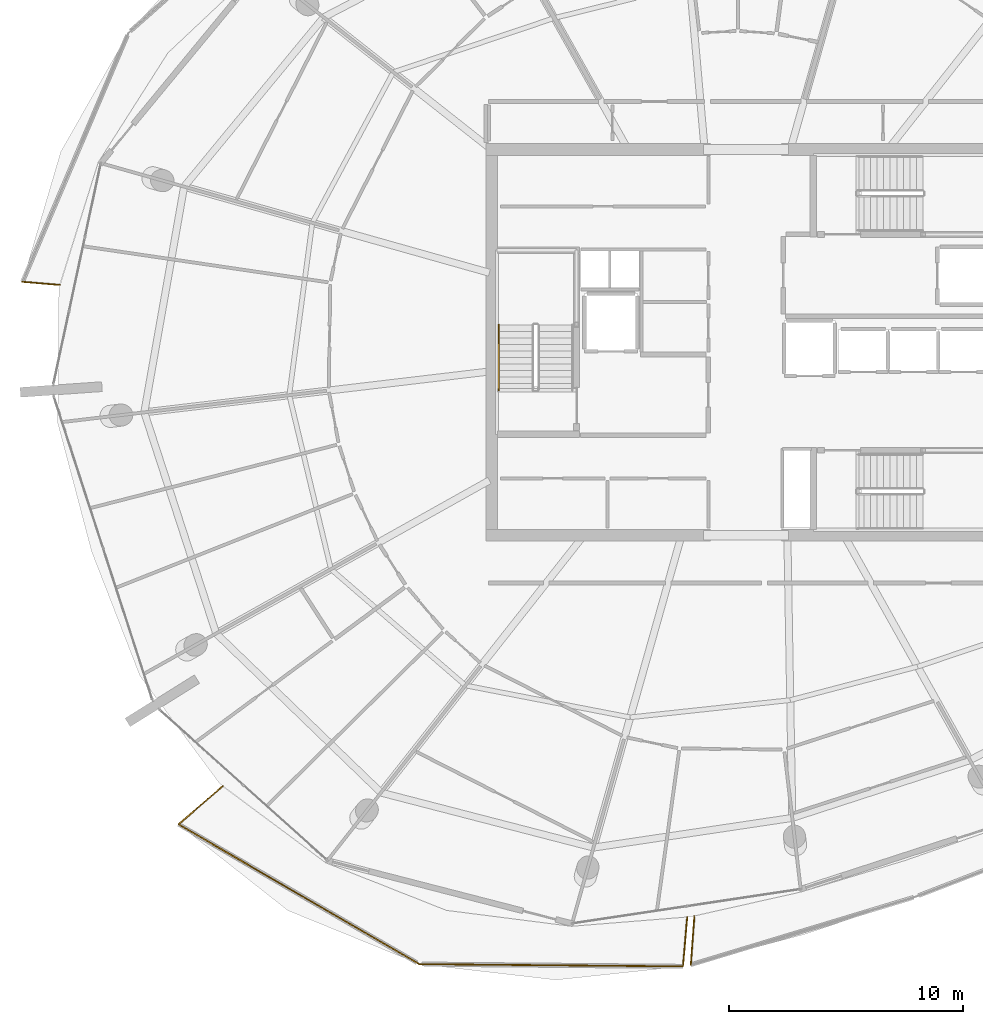
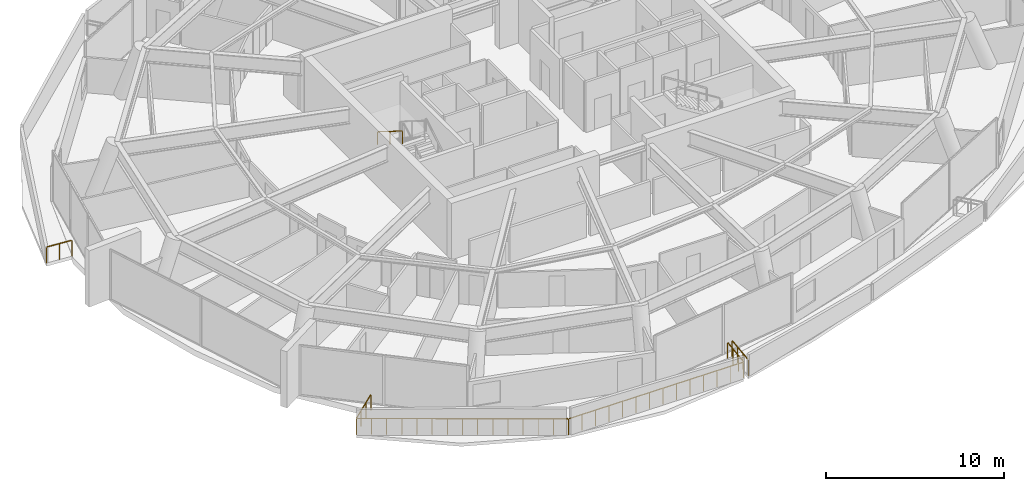
# One storey, part 22 of 27: 7 railings.
"""IFC4 building model written with IfcOpenShell, lengths in metres."""

from ifc_helpers import new_model, si_unit, direction, frame, origin, origin_2d, place, context, subcontext, project, spatial, rectangle, extrude, material, type_object, element, save


model = new_model("IFC4")

# Units and contexts
model_context = context("Model", 3, precision=1e-05, world=origin(), true_north=direction((0.0, 1.0)))
body_context = subcontext(model_context, "Body", "Model", "MODEL_VIEW")
ifc_project = project(units=[si_unit("LENGTHUNIT", "METRE"), si_unit("AREAUNIT", "SQUARE_METRE"), si_unit("VOLUMEUNIT", "CUBIC_METRE"), si_unit("PLANEANGLEUNIT", "RADIAN"), si_unit("MASSUNIT", "GRAM", prefix="KILO")], contexts=[model_context])

# Site, building, storey
site_placement = place(None, origin())
site = spatial("IfcSite", under=ifc_project, at=site_placement, CompositionType="ELEMENT")
building_placement = place(site_placement, origin())
building = spatial("IfcBuilding", under=site, at=building_placement, Name="Kazma Halo Residences", CompositionType="ELEMENT")
storey_placement = place(building_placement, frame((0.0, 0.0, 306.0)))
storey = spatial("IfcBuildingStorey", under=building, at=storey_placement, Name="L77", CompositionType="ELEMENT", Elevation=306.0)

# Railings
ifc_material_1 = material(Name="Aluminium AW-6063 T6 Brushed Cap Rail", Category="aluminium")
railing_type_1 = type_object("IfcRailingType", Name="RLG-BAL-CAP-1120", PredefinedType="BALUSTRADE", material=ifc_material_1)
railing_1_placement = place(storey_placement, frame((17.470947265625, 44.59033203125, 0.0)))
element("IfcRailing", 1, at=railing_1_placement, inside=storey, type_object=railing_type_1, Name="L77 NW wave balcony guard 4", PredefinedType="BALUSTRADE", context=body_context, shape_type="SweptSolid", body=[
    extrude(rectangle(XDim=0.050048828125, YDim=0.050048828125, at=origin_2d()), frame((0.04248046875, -0.003662109375, 1.09521484375), z_axis=(0.996419375788, -0.084548374052, 0.0), x_axis=(0.084548374052, 0.996419375788, 0.0)), (0.0, 0.0, 1.0), 1.5146484375),
    extrude(rectangle(XDim=0.0400390625, YDim=0.0400390625, at=origin_2d()), origin(), (0.0, 0.0, 1.0), 1.05810546875),
    extrude(rectangle(XDim=0.0400390625, YDim=0.0400390625, at=origin_2d()), frame((0.796875, -0.067626953125, 0.0)), (0.0, 0.0, 1.0), 1.05810546875),
    extrude(rectangle(XDim=0.0400390625, YDim=0.0400390625, at=origin_2d()), frame((1.593994140625, -0.13525390625, 0.0)), (0.0, 0.0, 1.0), 1.05810546875),
])
railing_2_placement = place(storey_placement, frame((26.0341796875, 23.006103515625, 0.0)))
element("IfcRailing", 2, at=railing_2_placement, inside=storey, type_object=railing_type_1, Name="L77 SW wave balcony guard 1", PredefinedType="BALUSTRADE", context=body_context, shape_type="SweptSolid", body=[
    extrude(rectangle(XDim=0.050048828125, YDim=0.050048828125, at=origin_2d()), frame((-0.0322265625, -0.02783203125, 1.09521484375), z_axis=(-0.756402441961, -0.654106524807, 0.0), x_axis=(0.654106524807, -0.756402441961, 0.0)), (0.0, 0.0, 1.0), 2.408935546875),
    extrude(rectangle(XDim=0.0400390625, YDim=0.0400390625, at=origin_2d()), origin(), (0.0, 0.0, 1.0), 1.05810546875),
    extrude(rectangle(XDim=0.0400390625, YDim=0.0400390625, at=origin_2d()), frame((-0.62890625, -0.543701171875, 0.0)), (0.0, 0.0, 1.0), 1.05810546875),
    extrude(rectangle(XDim=0.0400390625, YDim=0.0400390625, at=origin_2d()), frame((-1.257568359375, -1.087646484375, 0.0)), (0.0, 0.0, 1.0), 1.05810546875),
    extrude(rectangle(XDim=0.0400390625, YDim=0.0400390625, at=origin_2d()), frame((-1.886474609375, -1.63134765625, 0.0)), (0.0, 0.0, 1.0), 1.05810546875),
])
railing_3_placement = place(storey_placement, frame((24.147705078125, 21.374755859375, 0.0)))
element("IfcRailing", 3, at=railing_3_placement, inside=storey, type_object=railing_type_1, Name="L77 SW wave balcony guard 2", PredefinedType="BALUSTRADE", context=body_context, shape_type="SweptSolid", body=[
    extrude(rectangle(XDim=0.050048828125, YDim=0.050048828125, at=origin_2d()), frame((0.036865234375, -0.021240234375, 1.09521484375), z_axis=(0.864791531583, -0.502131065462, 0.0), x_axis=(0.502131065462, 0.864791531583, 0.0)), (0.0, 0.0, 1.0), 11.82177734375),
    extrude(rectangle(XDim=0.0400390625, YDim=0.0400390625, at=origin_2d()), origin(), (0.0, 0.0, 1.0), 1.05810546875),
    extrude(rectangle(XDim=0.0400390625, YDim=0.0400390625, at=origin_2d()), frame((0.735595703125, -0.427001953125, 0.0)), (0.0, 0.0, 1.0), 1.05810546875),
    extrude(rectangle(XDim=0.0400390625, YDim=0.0400390625, at=origin_2d()), frame((1.470947265625, -0.85400390625, 0.0)), (0.0, 0.0, 1.0), 1.05810546875),
    extrude(rectangle(XDim=0.0400390625, YDim=0.0400390625, at=origin_2d()), frame((2.20654296875, -1.28125, 0.0)), (0.0, 0.0, 1.0), 1.05810546875),
    extrude(rectangle(XDim=0.0400390625, YDim=0.0400390625, at=origin_2d()), frame((2.94189453125, -1.708251953125, 0.0)), (0.0, 0.0, 1.0), 1.05810546875),
    extrude(rectangle(XDim=0.0400390625, YDim=0.0400390625, at=origin_2d()), frame((3.677490234375, -2.13525390625, 0.0)), (0.0, 0.0, 1.0), 1.05810546875),
    extrude(rectangle(XDim=0.0400390625, YDim=0.0400390625, at=origin_2d()), frame((4.412841796875, -2.562255859375, 0.0)), (0.0, 0.0, 1.0), 1.05810546875),
    extrude(rectangle(XDim=0.0400390625, YDim=0.0400390625, at=origin_2d()), frame((5.1484375, -2.9892578125, 0.0)), (0.0, 0.0, 1.0), 1.05810546875),
    extrude(rectangle(XDim=0.0400390625, YDim=0.0400390625, at=origin_2d()), frame((5.884033203125, -3.41650390625, 0.0)), (0.0, 0.0, 1.0), 1.05810546875),
    extrude(rectangle(XDim=0.0400390625, YDim=0.0400390625, at=origin_2d()), frame((6.619384765625, -3.843505859375, 0.0)), (0.0, 0.0, 1.0), 1.05810546875),
    extrude(rectangle(XDim=0.0400390625, YDim=0.0400390625, at=origin_2d()), frame((7.35498046875, -4.2705078125, 0.0)), (0.0, 0.0, 1.0), 1.05810546875),
    extrude(rectangle(XDim=0.0400390625, YDim=0.0400390625, at=origin_2d()), frame((8.09033203125, -4.697509765625, 0.0)), (0.0, 0.0, 1.0), 1.05810546875),
    extrude(rectangle(XDim=0.0400390625, YDim=0.0400390625, at=origin_2d()), frame((8.825927734375, -5.124755859375, 0.0)), (0.0, 0.0, 1.0), 1.05810546875),
    extrude(rectangle(XDim=0.0400390625, YDim=0.0400390625, at=origin_2d()), frame((9.561279296875, -5.5517578125, 0.0)), (0.0, 0.0, 1.0), 1.05810546875),
    extrude(rectangle(XDim=0.0400390625, YDim=0.0400390625, at=origin_2d()), frame((10.296875, -5.978759765625, 0.0)), (0.0, 0.0, 1.0), 1.05810546875),
])
railing_4_placement = place(storey_placement, frame((34.444580078125, 15.39599609375, 0.0)))
element("IfcRailing", 4, at=railing_4_placement, inside=storey, type_object=railing_type_1, Name="L77 SW wave balcony guard 3", PredefinedType="BALUSTRADE", context=body_context, shape_type="SweptSolid", body=[
    extrude(rectangle(XDim=0.050048828125, YDim=0.050048828125, at=origin_2d()), frame((0.04248046875, -0.00048828125, 1.09521484375), z_axis=(0.999961648545, -0.008757935809, 0.0), x_axis=(0.008757935809, 0.999961648545, 0.0)), (0.0, 0.0, 1.0), 11.204833984375),
    extrude(rectangle(XDim=0.0400390625, YDim=0.0400390625, at=origin_2d()), origin(), (0.0, 0.0, 1.0), 1.05810546875),
    extrude(rectangle(XDim=0.0400390625, YDim=0.0400390625, at=origin_2d()), frame((0.868408203125, -0.007568359375, 0.0)), (0.0, 0.0, 1.0), 1.05810546875),
    extrude(rectangle(XDim=0.0400390625, YDim=0.0400390625, at=origin_2d()), frame((1.73681640625, -0.01513671875, 0.0)), (0.0, 0.0, 1.0), 1.05810546875),
    extrude(rectangle(XDim=0.0400390625, YDim=0.0400390625, at=origin_2d()), frame((2.605224609375, -0.022705078125, 0.0)), (0.0, 0.0, 1.0), 1.05810546875),
    extrude(rectangle(XDim=0.0400390625, YDim=0.0400390625, at=origin_2d()), frame((3.4736328125, -0.030517578125, 0.0)), (0.0, 0.0, 1.0), 1.05810546875),
    extrude(rectangle(XDim=0.0400390625, YDim=0.0400390625, at=origin_2d()), frame((4.342041015625, -0.0380859375, 0.0)), (0.0, 0.0, 1.0), 1.05810546875),
    extrude(rectangle(XDim=0.0400390625, YDim=0.0400390625, at=origin_2d()), frame((5.21044921875, -0.045654296875, 0.0)), (0.0, 0.0, 1.0), 1.05810546875),
    extrude(rectangle(XDim=0.0400390625, YDim=0.0400390625, at=origin_2d()), frame((6.0791015625, -0.05322265625, 0.0)), (0.0, 0.0, 1.0), 1.05810546875),
    extrude(rectangle(XDim=0.0400390625, YDim=0.0400390625, at=origin_2d()), frame((6.947509765625, -0.060791015625, 0.0)), (0.0, 0.0, 1.0), 1.05810546875),
    extrude(rectangle(XDim=0.0400390625, YDim=0.0400390625, at=origin_2d()), frame((7.81591796875, -0.068359375, 0.0)), (0.0, 0.0, 1.0), 1.05810546875),
    extrude(rectangle(XDim=0.0400390625, YDim=0.0400390625, at=origin_2d()), frame((8.684326171875, -0.076171875, 0.0)), (0.0, 0.0, 1.0), 1.05810546875),
    extrude(rectangle(XDim=0.0400390625, YDim=0.0400390625, at=origin_2d()), frame((9.552734375, -0.083740234375, 0.0)), (0.0, 0.0, 1.0), 1.05810546875),
    extrude(rectangle(XDim=0.0400390625, YDim=0.0400390625, at=origin_2d()), frame((10.421142578125, -0.09130859375, 0.0)), (0.0, 0.0, 1.0), 1.05810546875),
    extrude(rectangle(XDim=0.0400390625, YDim=0.0400390625, at=origin_2d()), frame((11.28955078125, -0.098876953125, 0.0)), (0.0, 0.0, 1.0), 1.05810546875),
])
railing_5_placement = place(storey_placement, frame((45.734130859375, 15.297119140625, 0.0)))
element("IfcRailing", 5, at=railing_5_placement, inside=storey, type_object=railing_type_1, Name="L77 SW wave balcony guard 4", PredefinedType="BALUSTRADE", context=body_context, shape_type="SweptSolid", body=[
    extrude(rectangle(XDim=0.050048828125, YDim=0.050048828125, at=origin_2d()), frame((0.003662109375, 0.04248046875, 1.09521484375), z_axis=(0.084571046435, 0.996417451726, 0.0), x_axis=(-0.996417451726, 0.084571046435, 0.0)), (0.0, 0.0, 1.0), 2.033935546875),
    extrude(rectangle(XDim=0.0400390625, YDim=0.0400390625, at=origin_2d()), origin(), (0.0, 0.0, 1.0), 1.05810546875),
    extrude(rectangle(XDim=0.0400390625, YDim=0.0400390625, at=origin_2d()), frame((0.059814453125, 0.703857421875, 0.0)), (0.0, 0.0, 1.0), 1.05810546875),
    extrude(rectangle(XDim=0.0400390625, YDim=0.0400390625, at=origin_2d()), frame((0.119384765625, 1.407470703125, 0.0)), (0.0, 0.0, 1.0), 1.05810546875),
    extrude(rectangle(XDim=0.0400390625, YDim=0.0400390625, at=origin_2d()), frame((0.17919921875, 2.111328125, 0.0)), (0.0, 0.0, 1.0), 1.05810546875),
])
railing_6_placement = place(storey_placement, frame((46.218994140625, 17.454345703125, 0.0)))
element("IfcRailing", 6, at=railing_6_placement, inside=storey, type_object=railing_type_1, Name="L77 SSE wave balcony guard 1", PredefinedType="BALUSTRADE", context=body_context, shape_type="SweptSolid", body=[
    extrude(rectangle(XDim=0.050048828125, YDim=0.050048828125, at=origin_2d()), frame((-0.003173828125, -0.04248046875, 1.09521484375), z_axis=(-0.072356571518, -0.997378828008, 0.0), x_axis=(0.997378828008, -0.072356571518, 0.0)), (0.0, 0.0, 1.0), 2.01025390625),
    extrude(rectangle(XDim=0.0400390625, YDim=0.0400390625, at=origin_2d()), origin(), (0.0, 0.0, 1.0), 1.05810546875),
    extrude(rectangle(XDim=0.0400390625, YDim=0.0400390625, at=origin_2d()), frame((-0.050537109375, -0.696533203125, 0.0)), (0.0, 0.0, 1.0), 1.05810546875),
    extrude(rectangle(XDim=0.0400390625, YDim=0.0400390625, at=origin_2d()), frame((-0.10107421875, -1.393310546875, 0.0)), (0.0, 0.0, 1.0), 1.05810546875),
    extrude(rectangle(XDim=0.0400390625, YDim=0.0400390625, at=origin_2d()), frame((-0.151611328125, -2.08984375, 0.0)), (0.0, 0.0, 1.0), 1.05810546875),
])
ifc_material_2 = material(Name="Brushed Stainless Steel", Category="steel")
railing_type_2 = type_object("IfcRailingType", Name="RLG-STAIR-HND-900", PredefinedType="HANDRAIL", material=ifc_material_2)
railing_7_placement = place(storey_placement, frame((37.85009765625, 42.75, 2.10009765625)))
element("IfcRailing", 7, at=railing_7_placement, inside=storey, type_object=railing_type_2, Name="L77 ST-01 stair handrail 2", PredefinedType="HANDRAIL", context=body_context, shape_type="SweptSolid", body=[
    extrude(rectangle(XDim=0.050048828125, YDim=0.050048828125, at=origin_2d()), frame((0.0, -0.0361328125, 0.8974609375), z_axis=(0.0, -0.848002457836, 0.529992293815), x_axis=(1.0, 0.0, 0.0)), (0.0, 0.0, 1.0), 3.216796875),
    extrude(rectangle(XDim=0.0400390625, YDim=0.0400390625, at=origin_2d()), origin(), (0.0, 0.0, 1.0), 0.837890625),
    extrude(rectangle(XDim=0.0400390625, YDim=0.0400390625, at=origin_2d()), frame((0.0, -1.39990234375, 0.875)), (0.0, 0.0, 1.0), 0.837890625),
    extrude(rectangle(XDim=0.0400390625, YDim=0.0400390625, at=origin_2d()), frame((0.0, -2.800048828125, 1.75)), (0.0, 0.0, 1.0), 0.837890625),
])

save(model, "model.ifc")
